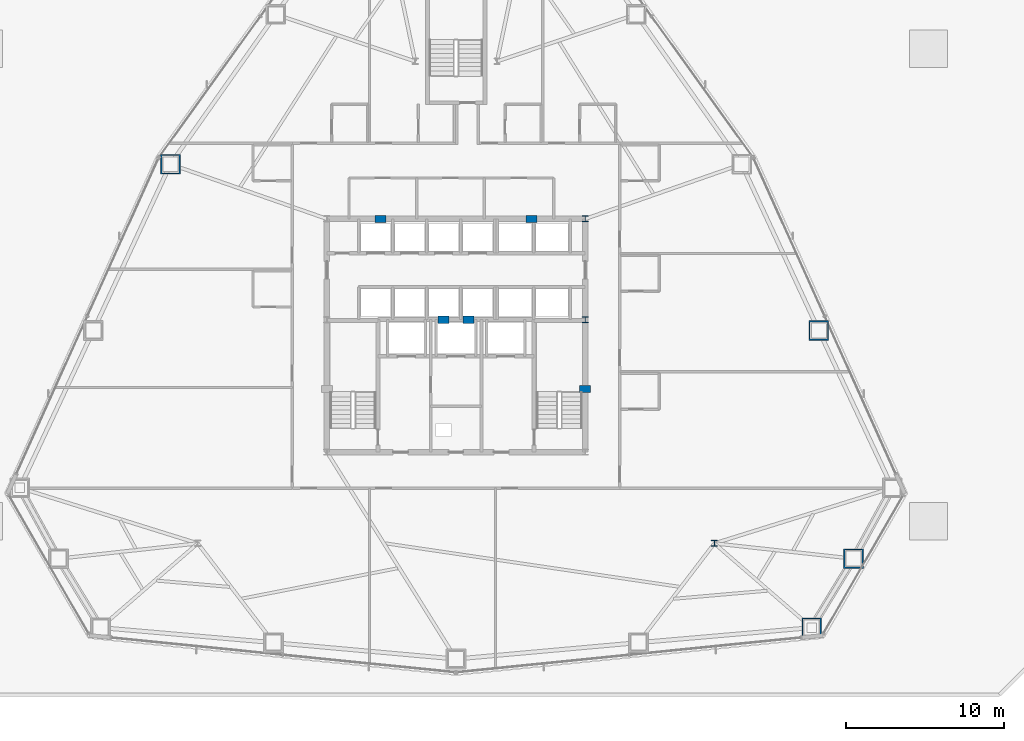
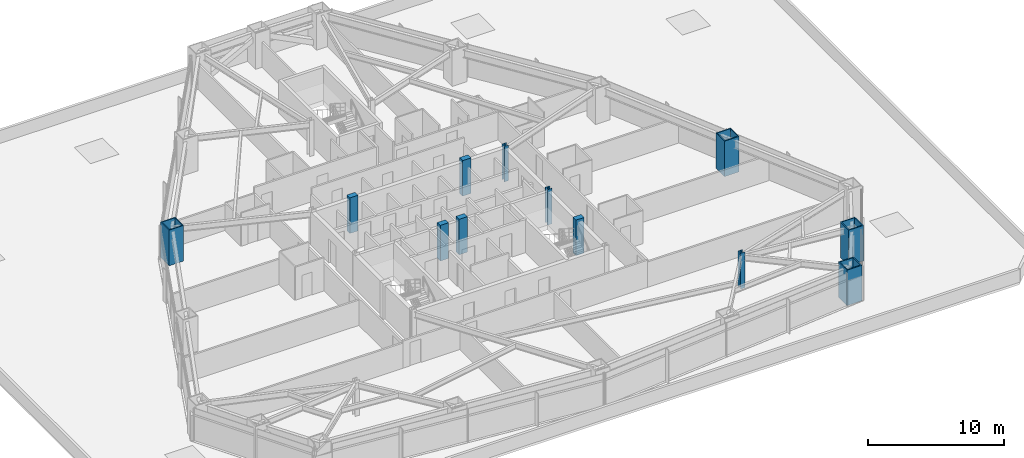
# One storey, part 2 of 17: 12 columns.
"""IFC4 building model written with IfcOpenShell, lengths in metres."""

from ifc_helpers import new_model, si_unit, direction, frame, origin, origin_2d, place, context, subcontext, project, spatial, rectangle, hollow_rectangle, i_section, extrude, material, material_profile, profile_set, type_object, element, save


model = new_model("IFC4")

# Units and contexts
model_context = context("Model", 3, precision=1e-05, world=origin(), true_north=direction((0.0, 1.0)))
body_context = subcontext(model_context, "Body", "Model", "MODEL_VIEW")
ifc_project = project(units=[si_unit("LENGTHUNIT", "METRE"), si_unit("AREAUNIT", "SQUARE_METRE"), si_unit("VOLUMEUNIT", "CUBIC_METRE"), si_unit("PLANEANGLEUNIT", "RADIAN"), si_unit("MASSUNIT", "GRAM", prefix="KILO")], contexts=[model_context])

# Site, building, storey
site_placement = place(None, origin())
site = spatial("IfcSite", under=ifc_project, at=site_placement, CompositionType="ELEMENT")
building_placement = place(site_placement, origin())
building = spatial("IfcBuilding", under=site, at=building_placement, Name="Varakhsha Concourse Tower", CompositionType="ELEMENT")
storey_placement = place(building_placement, frame((0.0, 0.0, 27.199951171875)))
storey = spatial("IfcBuildingStorey", under=building, at=storey_placement, Name="L06", CompositionType="ELEMENT", Elevation=27.199951171875)

# Columns
ifc_material_1 = material(Name="Structural Steel ASTM A992 Grade 50", Category="steel")
ifc_material_profile_1 = material_profile(ifc_material_1, i_section(OverallWidth=0.3740234375, OverallDepth=0.3720703125, WebThickness=0.01611328125, FlangeThickness=0.02587890625, at=origin_2d()), Name="W14X132")
ifc_profile_set_1 = profile_set([ifc_material_profile_1], Name="Structural Steel ASTM A992 Grade 50")
column_type_1 = type_object("IfcColumnType", Name="CL-CORE-W14X132", PredefinedType="COLUMN", material=ifc_profile_set_1)
for number, where, z_axis, x_axis, name in (
    (1, (48.199951171875, 24.800048828125, 0.0), (0.0, 0.0, 1.0), (1.0, 0.0, 0.0), "L06 Core Column CC-ME"),
    (2, (48.199951171875, 31.199951171875, 0.0), (0.0, 0.0, 1.0), (1.0, 0.0, 0.0), "L06 Core Column CC-NE"),
    (3, (56.39990234375, 10.60009765625, 0.0), (0.0, 0.0, 1.0), (1.0, 0.0, 0.0), "L06 Core Column SS-E"),
):
    element("IfcColumn", number, at=place(storey_placement, frame(where, z_axis=z_axis, x_axis=x_axis)), inside=storey, type_object=column_type_1, Name=name, PredefinedType="COLUMN", context=body_context, shape_type="SweptSolid", body=[
        extrude(i_section(OverallWidth=0.3740234375, OverallDepth=0.3720703125, WebThickness=0.01611328125, FlangeThickness=0.02587890625, at=origin_2d()), origin(), (0.0, 0.0, 1.0), 3.199951171875),
    ])
ifc_material_2 = material(Name="Concrete fc 65 MPa", Category="concrete")
ifc_material_profile_2 = material_profile(ifc_material_2, rectangle(XDim=0.699951171875, YDim=0.449951171875, at=origin_2d()), Name="RC 700x450")
ifc_profile_set_2 = profile_set([ifc_material_profile_2], Name="Concrete fc 65 MPa")
column_type_2 = type_object("IfcColumnType", Name="CL-PIL-700X450", PredefinedType="PILASTER", material=ifc_profile_set_2)
for number, where, z_axis, x_axis, name in (
    (4, (48.199951171875, 20.39990234375, 0.0), (0.0, 0.0, 1.0), (1.0, 0.0, 0.0), "L06 Core Boundary Pilaster PIL-E1"),
    (5, (35.199951171875, 31.199951171875, 0.0), (0.0, 0.0, 1.0), (1.0, 0.0, 0.0), "L06 Core Boundary Pilaster PIL-N1"),
    (6, (44.800048828125, 31.199951171875, 0.0), (0.0, 0.0, 1.0), (1.0, 0.0, 0.0), "L06 Core Boundary Pilaster PIL-N2"),
    (7, (39.199951171875, 24.800048828125, 0.0), (0.0, 0.0, 1.0), (1.0, 0.0, 0.0), "L06 Core Boundary Pilaster PIL-M1"),
    (8, (40.800048828125, 24.800048828125, 0.0), (0.0, 0.0, 1.0), (1.0, 0.0, 0.0), "L06 Core Boundary Pilaster PIL-M2"),
):
    element("IfcColumn", number, at=place(storey_placement, frame(where, z_axis=z_axis, x_axis=x_axis)), inside=storey, type_object=column_type_2, Name=name, PredefinedType="PILASTER", context=body_context, shape_type="SweptSolid", body=[
        extrude(rectangle(XDim=0.699951171875, YDim=0.449951171875, at=origin_2d()), origin(), (0.0, 0.0, 1.0), 3.199951171875),
    ])
ifc_material_3 = material(Name="Structural Steel ASTM A572 Grade 50", Category="steel")
ifc_material_profile_3 = material_profile(ifc_material_3, hollow_rectangle(XDim=1.25, YDim=1.25, WallThickness=0.080078125, at=origin_2d()), Name="BOX 1250x1250x80")
ifc_profile_set_3 = profile_set([ifc_material_profile_3], Name="Structural Steel ASTM A572 Grade 50")
column_type_3 = type_object("IfcColumnType", Name="CL-TUBE-1250", PredefinedType="COLUMN", material=ifc_profile_set_3)
for number, where, z_axis, x_axis, name in (
    (9, (21.865478515625, 34.669921875, 0.0), (0.0, 0.0, 1.0), (1.0, 0.0, 0.0), "L06 Framed-Tube Column TC05"),
    (10, (62.572998046875, 5.250732421875, 0.0), (0.0, 0.0, 1.0), (1.0, 0.0, 0.0), "L06 Framed-Tube Column TC13"),
    (11, (65.236083984375, 9.6298828125, 0.0), (0.0, 0.0, 1.0), (1.0, 0.0, 0.0), "L06 Framed-Tube Column TC14"),
    (12, (63.027099609375, 24.116455078125, 0.0), (0.0, 0.0, 1.0), (1.0, 0.0, 0.0), "L06 Framed-Tube Column TC16"),
):
    element("IfcColumn", number, at=place(storey_placement, frame(where, z_axis=z_axis, x_axis=x_axis)), inside=storey, type_object=column_type_3, Name=name, PredefinedType="COLUMN", context=body_context, shape_type="SweptSolid", body=[
        extrude(hollow_rectangle(XDim=1.25, YDim=1.25, WallThickness=0.080078125, at=origin_2d()), origin(), (0.0, 0.0, 1.0), 3.199951171875),
    ])

save(model, "model.ifc")
